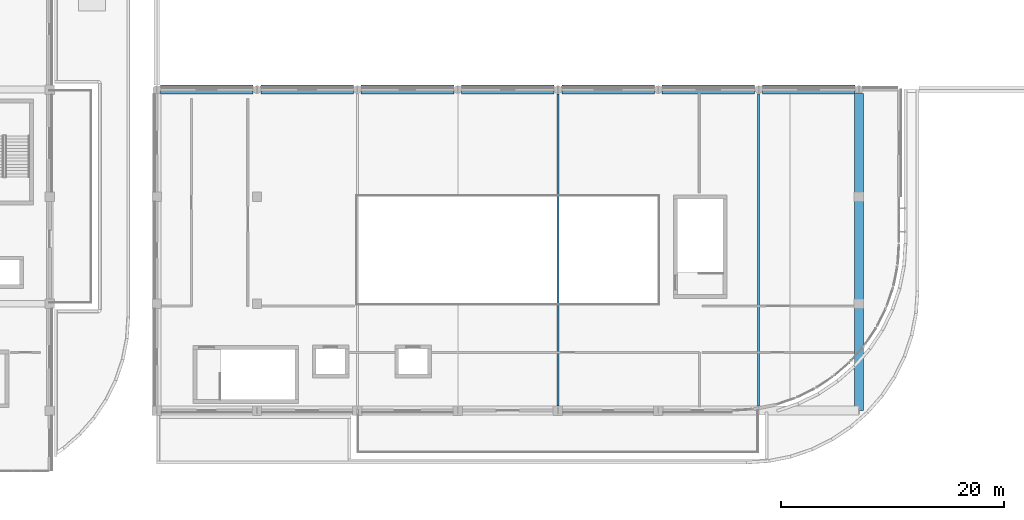
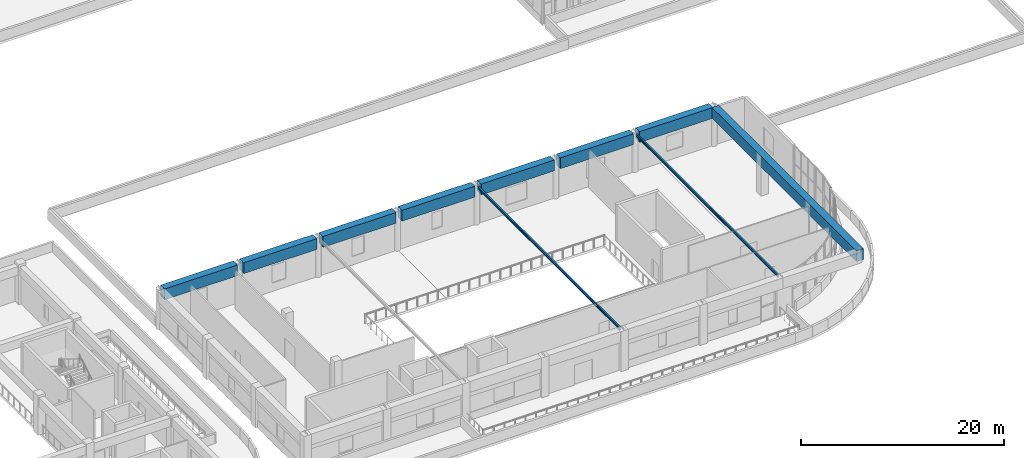
# One storey, part 11 of 67: 8 beams, 2 members.
"""IFC4 building model written with IfcOpenShell, lengths in metres."""

from ifc_helpers import new_model, si_unit, direction, frame, origin, origin_2d, place, context, subcontext, project, spatial, rectangle, i_section, extrude, material, material_profile, profile_set, type_object, element, save


model = new_model("IFC4")

# Units and contexts
model_context = context("Model", 3, precision=1e-05, world=origin(), true_north=direction((0.0, 1.0)))
body_context = subcontext(model_context, "Body", "Model", "MODEL_VIEW")
ifc_project = project(units=[si_unit("LENGTHUNIT", "METRE"), si_unit("AREAUNIT", "SQUARE_METRE"), si_unit("VOLUMEUNIT", "CUBIC_METRE"), si_unit("PLANEANGLEUNIT", "RADIAN"), si_unit("MASSUNIT", "GRAM", prefix="KILO")], contexts=[model_context])

# Site, building, storey
site_placement = place(None, origin())
site = spatial("IfcSite", under=ifc_project, at=site_placement, CompositionType="ELEMENT")
building_placement = place(site_placement, origin())
building = spatial("IfcBuilding", under=site, at=building_placement, Name="Cendralis Terraced Arcade", CompositionType="ELEMENT")
storey_placement = place(building_placement, frame((0.0, 0.0, 15.0)))
storey = spatial("IfcBuildingStorey", under=building, at=storey_placement, Name="L03", CompositionType="ELEMENT", Elevation=15.0)

# Members
ifc_material_1 = material(Name="Steel ASTM A992 Grade 50", Category="steel")
ifc_material_profile_1 = material_profile(ifc_material_1, i_section(OverallWidth=0.166015625, OverallDepth=0.31298828125, WebThickness=0.006591796875, FlangeThickness=0.01123046875, FilletRadius=0.010009765625, at=origin_2d()), Name="W310X44.5", Category="LoadBearing")
ifc_profile_set_1 = profile_set([ifc_material_profile_1], Name="Steel ASTM A992 Grade 50")
member_type = type_object("IfcMemberType", Name="MEM-TIE-W310", PredefinedType="BRACE", material=ifc_profile_set_1)
for number, where, z_axis, x_axis, name in (
    (1, (103.199951171875, 10.0, 4.550048828125), (0.0, 1.0, 0.0), (-1.0, 0.0, 0.0), "Gourmet Food Hall Barrel Vault Tension Tie 05"),
    (2, (121.199951171875, 10.0, 4.550048828125), (0.0, 1.0, 0.0), (-1.0, 0.0, 0.0), "Gourmet Food Hall Barrel Vault Tension Tie 07"),
):
    element("IfcMember", number, at=place(storey_placement, frame(where, z_axis=z_axis, x_axis=x_axis)), inside=storey, type_object=member_type, Name=name, PredefinedType="BRACE", context=body_context, shape_type="SweptSolid", body=[
        extrude(i_section(OverallWidth=0.166015625, OverallDepth=0.31298828125, WebThickness=0.006591796875, FlangeThickness=0.01123046875, FilletRadius=0.010009765625, at=origin_2d()), origin(), (0.0, 0.0, 1.0), 28.0),
    ])

# Beams
ifc_material_2 = material(Name="Concrete f'c 35 MPa", Category="concrete")
ifc_material_profile_2 = material_profile(ifc_material_2, rectangle(XDim=0.800048828125, YDim=1.300048828125, at=origin_2d()), Name="RC-RB-800x1300", Category="LoadBearing")
ifc_profile_set_2 = profile_set([ifc_material_profile_2], Name="Concrete f'c 35 MPa")
beam_type = type_object("IfcBeamType", Name="RB-800x1300", PredefinedType="BEAM", material=ifc_profile_set_2)
for number, where, z_axis, x_axis, name in (
    (3, (67.550048828125, 38.39990234375, 4.14990234375), (1.0, 0.0, 0.0), (0.0, 1.0, 0.0), "Gourmet Food Hall Barrel Vault Springing Ring Beam RB-FH-N-01"),
    (4, (76.550048828125, 38.39990234375, 4.14990234375), (1.0, 0.0, 0.0), (0.0, 1.0, 0.0), "Gourmet Food Hall Barrel Vault Springing Ring Beam RB-FH-N-02"),
    (5, (85.550048828125, 38.39990234375, 4.14990234375), (1.0, 0.0, 0.0), (0.0, 1.0, 0.0), "Gourmet Food Hall Barrel Vault Springing Ring Beam RB-FH-N-03"),
    (6, (94.550048828125, 38.39990234375, 4.14990234375), (1.0, 0.0, 0.0), (0.0, 1.0, 0.0), "Gourmet Food Hall Barrel Vault Springing Ring Beam RB-FH-N-04"),
    (7, (103.550048828125, 38.39990234375, 4.14990234375), (1.0, 0.0, 0.0), (0.0, 1.0, 0.0), "Gourmet Food Hall Barrel Vault Springing Ring Beam RB-FH-N-05"),
    (8, (112.550048828125, 38.39990234375, 4.14990234375), (1.0, 0.0, 0.0), (0.0, 1.0, 0.0), "Gourmet Food Hall Barrel Vault Springing Ring Beam RB-FH-N-06"),
    (9, (121.550048828125, 38.39990234375, 4.14990234375), (1.0, 0.0, 0.0), (0.0, 1.0, 0.0), "Gourmet Food Hall Barrel Vault Springing Ring Beam RB-FH-N-07"),
):
    element("IfcBeam", number, at=place(storey_placement, frame(where, z_axis=z_axis, x_axis=x_axis)), inside=storey, type_object=beam_type, Name=name, PredefinedType="BEAM", context=body_context, shape_type="SweptSolid", body=[
        extrude(rectangle(XDim=0.800048828125, YDim=1.300048828125, at=origin_2d()), origin(), (0.0, 0.0, 1.0), 8.300048828125),
    ])
beam_placement = place(storey_placement, frame((130.199951171875, 9.60009765625, 4.14990234375), z_axis=(0.0, 1.0, 0.0), x_axis=(-1.0, 0.0, 0.0)))
element("IfcBeam", 10, at=beam_placement, inside=storey, type_object=beam_type, Name="Gourmet Food Hall Barrel Vault Gable Ring Beam RB-FH-E", PredefinedType="BEAM", context=body_context, shape_type="SweptSolid", body=[
    extrude(rectangle(XDim=0.800048828125, YDim=1.300048828125, at=origin_2d()), origin(), (0.0, 0.0, 1.0), 28.449951171875),
])

save(model, "model.ifc")
